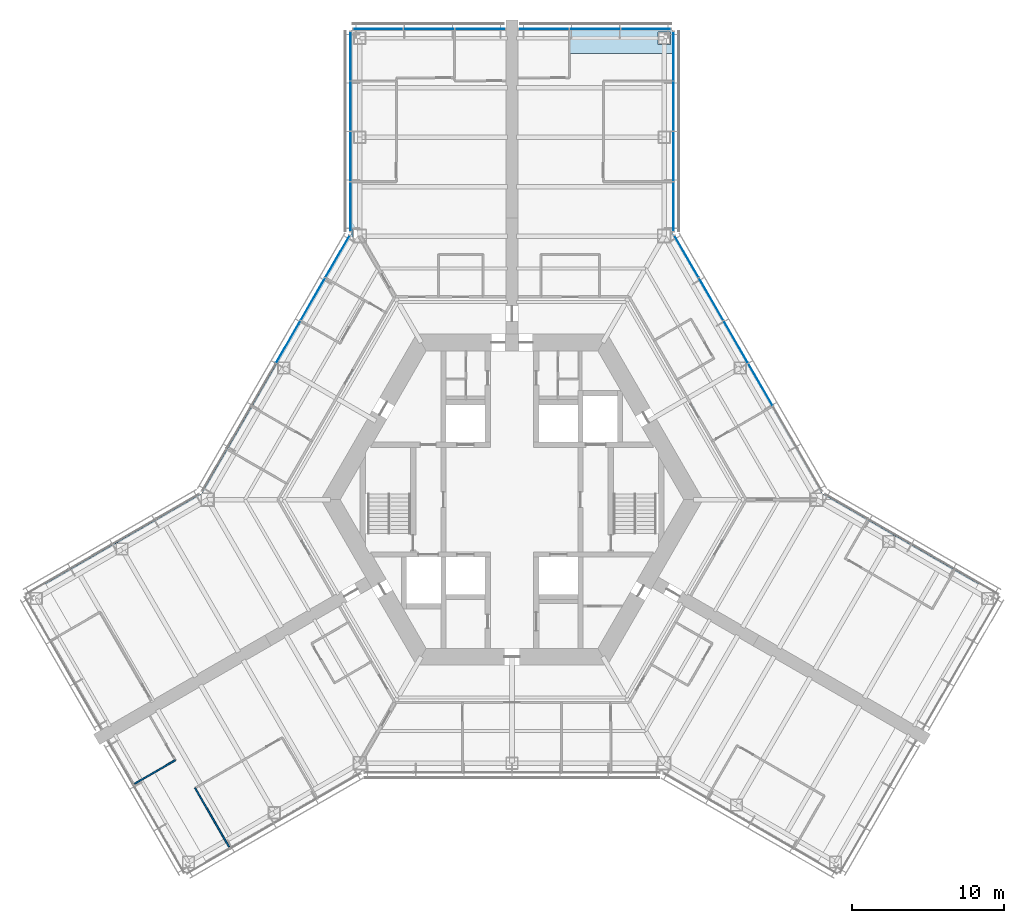
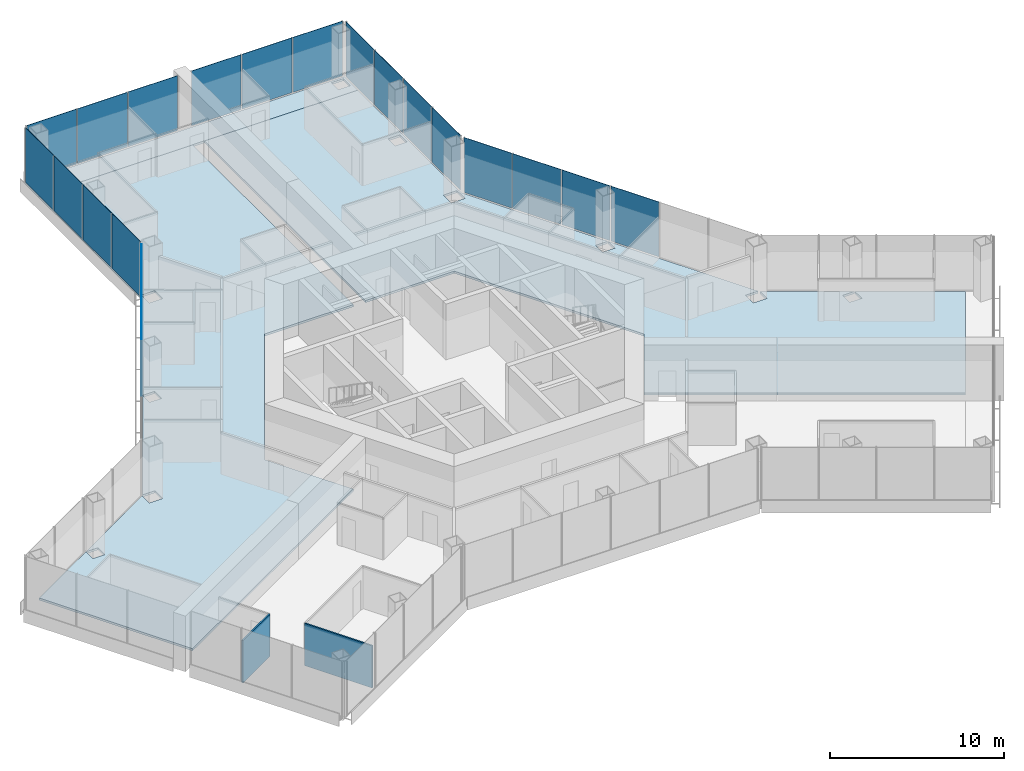
# One storey, part 11 of 19: 21 plates, 3 slabs, 2 walls, 6 elements without a shape of their own.
"""IFC4 building model written with IfcOpenShell, lengths in metres."""

from ifc_helpers import new_model, si_unit, direction, frame, frame_2d, origin, origin_2d, place, context, subcontext, project, spatial, polyline, rectangle, outline, extrude, material, layer, layer_set, type_object, element, aggregate, save


model = new_model("IFC4")

# Units and contexts
model_context = context("Model", 3, precision=1e-05, world=origin(), true_north=direction((0.0, 1.0)))
body_context = subcontext(model_context, "Body", "Model", "MODEL_VIEW")
ifc_project = project(units=[si_unit("LENGTHUNIT", "METRE"), si_unit("AREAUNIT", "SQUARE_METRE"), si_unit("VOLUMEUNIT", "CUBIC_METRE"), si_unit("PLANEANGLEUNIT", "RADIAN"), si_unit("MASSUNIT", "GRAM", prefix="KILO")], contexts=[model_context])

# Site, building, storey
site_placement = place(None, origin())
site = spatial("IfcSite", under=ifc_project, at=site_placement, CompositionType="ELEMENT")
building_placement = place(site_placement, origin())
building = spatial("IfcBuilding", under=site, at=building_placement, Name="Kasaneha Research Tower", CompositionType="ELEMENT")
storey_placement = place(building_placement, frame((0.0, 0.0, 92.39990234375)))
storey = spatial("IfcBuildingStorey", under=building, at=storey_placement, Name="L23", CompositionType="ELEMENT", Elevation=92.39990234375)

# Curtain wall, plates
ifc_material_1 = material(Name="Glass and aluminium", Category="aluminium")
curtain_wall_type = type_object("IfcCurtainWallType", Name="Low-rise office curtain wall", PredefinedType="USERDEFINED", material=ifc_material_1)
curtain_wall_1_placement = place(storey_placement, origin())
curtain_wall_1 = element("IfcCurtainWall", 1, at=curtain_wall_1_placement, inside=storey, type_object=curtain_wall_type, Name="CW-O1 L23 run 07a", ObjectType="UNITISED CURTAIN WALL", PredefinedType="USERDEFINED")
ifc_material_2 = material(Name="Laminated double glazing", Category="glass")
ifc_layer_1 = layer(ifc_material_2, 0.028076171875)
ifc_layer_set_1 = layer_set([ifc_layer_1], Name="CW-O1 glazed panel")
plate_type = type_object("IfcPlateType", Name="CW-O1 glazed panel", PredefinedType="CURTAIN_PANEL", material=ifc_layer_set_1)
plate_1_placement = place(storey_placement, frame((16.331298828125, 7.554443359375, 0.06005859375), z_axis=(0.0, 0.0, 1.0), x_axis=(-0.49999996188, 0.866025425793, 0.0)))
plate_1 = element("IfcPlate", 2, at=plate_1_placement, type_object=plate_type, Name="CW-O1 panel 3", PredefinedType="CURTAIN_PANEL", context=body_context, shape_type="SweptSolid", body=[
    extrude(rectangle(XDim=3.1865234375, YDim=0.028076171875, at=origin_2d()), origin(), (0.0, 0.0, 1.0), 3.840087890625),
])
plate_2_placement = place(storey_placement, frame((14.7080078125, 10.365966796875, 0.06005859375), z_axis=(0.0, 0.0, 1.0), x_axis=(-0.49999996188, 0.866025425793, 0.0)))
plate_2 = element("IfcPlate", 3, at=plate_2_placement, type_object=plate_type, Name="CW-O1 panel 4", PredefinedType="CURTAIN_PANEL", context=body_context, shape_type="SweptSolid", body=[
    extrude(rectangle(XDim=3.1865234375, YDim=0.028076171875, at=origin_2d()), origin(), (0.0, 0.0, 1.0), 3.840087890625),
])
plate_3_placement = place(storey_placement, frame((13.084716796875, 13.177490234375, 0.06005859375), z_axis=(0.0, 0.0, 1.0), x_axis=(-0.49999996188, 0.866025425793, 0.0)))
plate_3 = element("IfcPlate", 4, at=plate_3_placement, type_object=plate_type, Name="CW-O1 panel 5", PredefinedType="CURTAIN_PANEL", context=body_context, shape_type="SweptSolid", body=[
    extrude(rectangle(XDim=3.1865234375, YDim=0.028076171875, at=origin_2d()), origin(), (0.0, 0.0, 1.0), 3.840087890625),
])
plate_4_placement = place(storey_placement, frame((11.468994140625, 15.975830078125, 0.06005859375), z_axis=(0.0, 0.0, 1.0), x_axis=(-0.49999996188, 0.866025425793, 0.0)))
plate_4 = element("IfcPlate", 5, at=plate_4_placement, type_object=plate_type, Name="CW-O1 panel 6", PredefinedType="CURTAIN_PANEL", context=body_context, shape_type="SweptSolid", body=[
    extrude(rectangle(XDim=3.156494140625, YDim=0.028076171875, at=origin_2d()), origin(), (0.0, 0.0, 1.0), 3.840087890625),
])
aggregate(curtain_wall_1, [plate_1, plate_2, plate_3, plate_4])

curtain_wall_2_placement = place(storey_placement, origin())
curtain_wall_2 = element("IfcCurtainWall", 6, at=curtain_wall_2_placement, inside=storey, type_object=curtain_wall_type, Name="CW-O1 L23 run 08a", ObjectType="UNITISED CURTAIN WALL", PredefinedType="USERDEFINED")
plate_5_placement = place(storey_placement, frame((10.60009765625, 19.251220703125, 0.06005859375), z_axis=(0.0, 0.0, 1.0), x_axis=(0.0, 1.0, 0.0)))
plate_5 = element("IfcPlate", 7, at=plate_5_placement, type_object=plate_type, Name="CW-O1 panel 1", PredefinedType="CURTAIN_PANEL", context=body_context, shape_type="SweptSolid", body=[
    extrude(rectangle(XDim=3.2197265625, YDim=0.028076171875, at=origin_2d()), origin(), (0.0, 0.0, 1.0), 3.840087890625),
])
plate_6_placement = place(storey_placement, frame((10.60009765625, 22.5458984375, 0.06005859375), z_axis=(0.0, 0.0, 1.0), x_axis=(0.0, 1.0, 0.0)))
plate_6 = element("IfcPlate", 8, at=plate_6_placement, type_object=plate_type, Name="CW-O1 panel 2", PredefinedType="CURTAIN_PANEL", context=body_context, shape_type="SweptSolid", body=[
    extrude(rectangle(XDim=3.249755859375, YDim=0.028076171875, at=origin_2d()), origin(), (0.0, 0.0, 1.0), 3.840087890625),
])
plate_7_placement = place(storey_placement, frame((10.60009765625, 25.855712890625, 0.06005859375), z_axis=(0.0, 0.0, 1.0), x_axis=(0.0, 1.0, 0.0)))
plate_7 = element("IfcPlate", 9, at=plate_7_placement, type_object=plate_type, Name="CW-O1 panel 3", PredefinedType="CURTAIN_PANEL", context=body_context, shape_type="SweptSolid", body=[
    extrude(rectangle(XDim=3.249755859375, YDim=0.028076171875, at=origin_2d()), origin(), (0.0, 0.0, 1.0), 3.840087890625),
])
plate_8_placement = place(storey_placement, frame((10.60009765625, 29.150634765625, 0.06005859375), z_axis=(0.0, 0.0, 1.0), x_axis=(0.0, 1.0, 0.0)))
plate_8 = element("IfcPlate", 10, at=plate_8_placement, type_object=plate_type, Name="CW-O1 panel 4", PredefinedType="CURTAIN_PANEL", context=body_context, shape_type="SweptSolid", body=[
    extrude(rectangle(XDim=3.2197265625, YDim=0.028076171875, at=origin_2d()), origin(), (0.0, 0.0, 1.0), 3.840087890625),
])
aggregate(curtain_wall_2, [plate_5, plate_6, plate_7, plate_8])

curtain_wall_3_placement = place(storey_placement, origin())
curtain_wall_3 = element("IfcCurtainWall", 11, at=curtain_wall_3_placement, inside=storey, type_object=curtain_wall_type, Name="CW-O1 L23 run 09a", ObjectType="UNITISED CURTAIN WALL", PredefinedType="USERDEFINED")
plate_9_placement = place(storey_placement, frame((8.8017578125, 30.92041015625, 0.06005859375), z_axis=(0.0, 0.0, 1.0), x_axis=(-1.0, 0.0, 0.0)))
plate_9 = element("IfcPlate", 12, at=plate_9_placement, type_object=plate_type, Name="CW-O1 panel 1", PredefinedType="CURTAIN_PANEL", context=body_context, shape_type="SweptSolid", body=[
    extrude(rectangle(XDim=3.276611328125, YDim=0.028076171875, at=origin_2d()), origin(), (0.0, 0.0, 1.0), 3.840087890625),
])
plate_10_placement = place(storey_placement, frame((5.449951171875, 30.92041015625, 0.06005859375), z_axis=(0.0, 0.0, 1.0), x_axis=(-1.0, 0.0, 0.0)))
plate_10 = element("IfcPlate", 13, at=plate_10_placement, type_object=plate_type, Name="CW-O1 panel 2", PredefinedType="CURTAIN_PANEL", context=body_context, shape_type="SweptSolid", body=[
    extrude(rectangle(XDim=3.306640625, YDim=0.028076171875, at=origin_2d()), origin(), (0.0, 0.0, 1.0), 3.840087890625),
])
plate_11_placement = place(storey_placement, frame((2.098388671875, 30.92041015625, 0.06005859375), z_axis=(0.0, 0.0, 1.0), x_axis=(-1.0, 0.0, 0.0)))
plate_11 = element("IfcPlate", 14, at=plate_11_placement, type_object=plate_type, Name="CW-O1 panel 3", PredefinedType="CURTAIN_PANEL", context=body_context, shape_type="SweptSolid", body=[
    extrude(rectangle(XDim=3.276611328125, YDim=0.028076171875, at=origin_2d()), origin(), (0.0, 0.0, 1.0), 3.840087890625),
])
aggregate(curtain_wall_3, [plate_9, plate_10, plate_11])

curtain_wall_4_placement = place(storey_placement, origin())
curtain_wall_4 = element("IfcCurtainWall", 15, at=curtain_wall_4_placement, inside=storey, type_object=curtain_wall_type, Name="CW-O1 L23 run 10a", ObjectType="UNITISED CURTAIN WALL", PredefinedType="USERDEFINED")
plate_12_placement = place(storey_placement, frame((-2.098388671875, 30.92041015625, 0.06005859375), z_axis=(0.0, 0.0, 1.0), x_axis=(-1.0, 0.0, 0.0)))
plate_12 = element("IfcPlate", 16, at=plate_12_placement, type_object=plate_type, Name="CW-O1 panel 1", PredefinedType="CURTAIN_PANEL", context=body_context, shape_type="SweptSolid", body=[
    extrude(rectangle(XDim=3.276611328125, YDim=0.028076171875, at=origin_2d()), origin(), (0.0, 0.0, 1.0), 3.840087890625),
])
plate_13_placement = place(storey_placement, frame((-5.449951171875, 30.92041015625, 0.06005859375), z_axis=(0.0, 0.0, 1.0), x_axis=(-1.0, 0.0, 0.0)))
plate_13 = element("IfcPlate", 17, at=plate_13_placement, type_object=plate_type, Name="CW-O1 panel 2", PredefinedType="CURTAIN_PANEL", context=body_context, shape_type="SweptSolid", body=[
    extrude(rectangle(XDim=3.306640625, YDim=0.028076171875, at=origin_2d()), origin(), (0.0, 0.0, 1.0), 3.840087890625),
])
plate_14_placement = place(storey_placement, frame((-8.8017578125, 30.92041015625, 0.06005859375), z_axis=(0.0, 0.0, 1.0), x_axis=(-1.0, 0.0, 0.0)))
plate_14 = element("IfcPlate", 18, at=plate_14_placement, type_object=plate_type, Name="CW-O1 panel 3", PredefinedType="CURTAIN_PANEL", context=body_context, shape_type="SweptSolid", body=[
    extrude(rectangle(XDim=3.276611328125, YDim=0.028076171875, at=origin_2d()), origin(), (0.0, 0.0, 1.0), 3.840087890625),
])
aggregate(curtain_wall_4, [plate_12, plate_13, plate_14])

curtain_wall_5_placement = place(storey_placement, origin())
curtain_wall_5 = element("IfcCurtainWall", 19, at=curtain_wall_5_placement, inside=storey, type_object=curtain_wall_type, Name="CW-O1 L23 run 11a", ObjectType="UNITISED CURTAIN WALL", PredefinedType="USERDEFINED")
plate_15_placement = place(storey_placement, frame((-10.60009765625, 29.150634765625, 0.06005859375), z_axis=(0.0, 0.0, 1.0), x_axis=(0.0, -1.0, 0.0)))
plate_15 = element("IfcPlate", 20, at=plate_15_placement, type_object=plate_type, Name="CW-O1 panel 1", PredefinedType="CURTAIN_PANEL", context=body_context, shape_type="SweptSolid", body=[
    extrude(rectangle(XDim=3.2197265625, YDim=0.028076171875, at=origin_2d()), origin(), (0.0, 0.0, 1.0), 3.840087890625),
])
plate_16_placement = place(storey_placement, frame((-10.60009765625, 25.855712890625, 0.06005859375), z_axis=(0.0, 0.0, 1.0), x_axis=(0.0, -1.0, 0.0)))
plate_16 = element("IfcPlate", 21, at=plate_16_placement, type_object=plate_type, Name="CW-O1 panel 2", PredefinedType="CURTAIN_PANEL", context=body_context, shape_type="SweptSolid", body=[
    extrude(rectangle(XDim=3.249755859375, YDim=0.028076171875, at=origin_2d()), origin(), (0.0, 0.0, 1.0), 3.840087890625),
])
plate_17_placement = place(storey_placement, frame((-10.60009765625, 22.5458984375, 0.06005859375), z_axis=(0.0, 0.0, 1.0), x_axis=(0.0, -1.0, 0.0)))
plate_17 = element("IfcPlate", 22, at=plate_17_placement, type_object=plate_type, Name="CW-O1 panel 3", PredefinedType="CURTAIN_PANEL", context=body_context, shape_type="SweptSolid", body=[
    extrude(rectangle(XDim=3.249755859375, YDim=0.028076171875, at=origin_2d()), origin(), (0.0, 0.0, 1.0), 3.840087890625),
])
plate_18_placement = place(storey_placement, frame((-10.60009765625, 19.251220703125, 0.06005859375), z_axis=(0.0, 0.0, 1.0), x_axis=(0.0, -1.0, 0.0)))
plate_18 = element("IfcPlate", 23, at=plate_18_placement, type_object=plate_type, Name="CW-O1 panel 4", PredefinedType="CURTAIN_PANEL", context=body_context, shape_type="SweptSolid", body=[
    extrude(rectangle(XDim=3.2197265625, YDim=0.028076171875, at=origin_2d()), origin(), (0.0, 0.0, 1.0), 3.840087890625),
])
aggregate(curtain_wall_5, [plate_15, plate_16, plate_17, plate_18])

curtain_wall_6_placement = place(storey_placement, origin())
curtain_wall_6 = element("IfcCurtainWall", 24, at=curtain_wall_6_placement, inside=storey, type_object=curtain_wall_type, Name="CW-O1 L23 run 12a", ObjectType="UNITISED CURTAIN WALL", PredefinedType="USERDEFINED")
plate_19_placement = place(storey_placement, frame((-11.468994140625, 15.975830078125, 0.06005859375), z_axis=(0.0, 0.0, 1.0), x_axis=(-0.49999996188, -0.866025425793, 0.0)))
plate_19 = element("IfcPlate", 25, at=plate_19_placement, type_object=plate_type, Name="CW-O1 panel 1", PredefinedType="CURTAIN_PANEL", context=body_context, shape_type="SweptSolid", body=[
    extrude(rectangle(XDim=3.156494140625, YDim=0.028076171875, at=origin_2d()), origin(), (0.0, 0.0, 1.0), 3.840087890625),
])
plate_20_placement = place(storey_placement, frame((-13.084716796875, 13.177490234375, 0.06005859375), z_axis=(0.0, 0.0, 1.0), x_axis=(-0.49999996188, -0.866025425793, 0.0)))
plate_20 = element("IfcPlate", 26, at=plate_20_placement, type_object=plate_type, Name="CW-O1 panel 2", PredefinedType="CURTAIN_PANEL", context=body_context, shape_type="SweptSolid", body=[
    extrude(rectangle(XDim=3.1865234375, YDim=0.028076171875, at=origin_2d()), origin(), (0.0, 0.0, 1.0), 3.840087890625),
])
plate_21_placement = place(storey_placement, frame((-14.7080078125, 10.365966796875, 0.06005859375), z_axis=(0.0, 0.0, 1.0), x_axis=(-0.49999996188, -0.866025425793, 0.0)))
plate_21 = element("IfcPlate", 27, at=plate_21_placement, type_object=plate_type, Name="CW-O1 panel 3", PredefinedType="CURTAIN_PANEL", context=body_context, shape_type="SweptSolid", body=[
    extrude(rectangle(XDim=3.1865234375, YDim=0.028076171875, at=origin_2d()), origin(), (0.0, 0.0, 1.0), 3.840087890625),
])
aggregate(curtain_wall_6, [plate_19, plate_20, plate_21])

# Slabs
ifc_material_3 = material(Name="Concrete Fc24", Category="concrete")
ifc_layer_2 = layer(ifc_material_3, 0.14990234375)
ifc_layer_set_2 = layer_set([ifc_layer_2], Name="Floor slab 150")
slab_type = type_object("IfcSlabType", Name="Floor slab 150", PredefinedType="FLOOR", material=ifc_layer_set_2)
slab_1_placement = place(storey_placement, frame((0.0, 0.0, -0.14990234375)))
element("IfcSlab", 28, at=slab_1_placement, inside=storey, type_object=slab_type, Name="Floor slab L23 2", PredefinedType="FLOOR", context=body_context, shape_type="SweptSolid", body=[
    extrude(outline(polyline([(-20.375244140625, 0.449951171875), (-15.40771484375, 9.053955078125), (-15.400146484375, 9.046142578125), (-15.400146484375, 8.26025390625), (-14.599853515625, 8.26025390625), (-14.599853515625, 9.060302734375), (-15.385986328125, 9.060302734375), (-15.3974609375, 9.07177734375), (-10.550048828125, 17.4677734375), (-10.550048828125, 29.310546875), (-0.39990234375, 29.310546875), (-0.39990234375, 10.875), (-6.278564453125, 10.875), (-12.557373046875, 0.0), (-9.617919921875, -5.091064453125), (-25.583740234375, -14.308837890625), (-30.65869140625, -5.518798828125), (-26.040771484375, -2.8525390625), (-26.029296875, -2.864013671875), (-26.029296875, -3.650146484375), (-25.22900390625, -3.650146484375), (-25.22900390625, -2.849853515625), (-26.01513671875, -2.849853515625), (-26.02294921875, -2.84228515625), (-20.449951171875, 0.375244140625), (-20.449951171875, -0.449951171875), (-19.550048828125, -0.449951171875), (-19.550048828125, 0.449951171875), (-20.375244140625, 0.449951171875)]), holes=[polyline([(-9.550048828125, 17.7705078125), (-10.449951171875, 17.7705078125), (-10.449951171875, 16.87060546875), (-9.550048828125, 16.87060546875), (-9.550048828125, 17.7705078125)]), polyline([(-9.60009765625, 23.42041015625), (-9.60009765625, 24.220458984375), (-10.39990234375, 24.220458984375), (-10.39990234375, 23.42041015625), (-9.60009765625, 23.42041015625)])]), origin(), (0.0, 0.0, 1.0), 0.14990234375),
])
slab_2_placement = place(storey_placement, frame((0.0, 0.0, -0.14990234375)))
element("IfcSlab", 29, at=slab_2_placement, inside=storey, type_object=slab_type, Name="Floor slab L23 3", PredefinedType="FLOOR", context=body_context, shape_type="SweptSolid", body=[
    extrude(outline(polyline([(10.550048828125, 29.310546875), (0.39990234375, 29.310546875), (0.39990234375, 29.320556640625), (-0.39990234375, 29.320556640625), (-0.39990234375, 29.310546875), (-10.550048828125, 29.310546875), (-10.550048828125, 30.87060546875), (10.550048828125, 30.87060546875), (10.550048828125, 29.310546875)]), holes=[polyline([(-9.60009765625, 30.720458984375), (-10.39990234375, 30.720458984375), (-10.39990234375, 29.92041015625), (-9.60009765625, 29.92041015625), (-9.60009765625, 30.720458984375)]), polyline([(10.39990234375, 29.92041015625), (10.39990234375, 30.720458984375), (9.60009765625, 30.720458984375), (9.60009765625, 29.92041015625), (10.39990234375, 29.92041015625)])]), origin(), (0.0, 0.0, 1.0), 0.14990234375),
])
slab_3_placement = place(storey_placement, frame((0.0, 0.0, -0.14990234375)))
element("IfcSlab", 30, at=slab_3_placement, inside=storey, type_object=slab_type, Name="Floor slab L23 5", PredefinedType="FLOOR", context=body_context, shape_type="SweptSolid", body=[
    extrude(outline(polyline([(9.617919921875, -5.091064453125), (12.557373046875, 0.0), (6.278564453125, 10.875), (0.39990234375, 10.875), (0.39990234375, 29.310546875), (10.550048828125, 29.310546875), (10.550048828125, 17.4677734375), (15.3974609375, 9.07177734375), (15.385986328125, 9.060302734375), (14.599853515625, 9.060302734375), (14.599853515625, 8.26025390625), (15.400146484375, 8.26025390625), (15.400146484375, 9.046142578125), (15.40771484375, 9.053955078125), (20.375244140625, 0.449951171875), (19.550048828125, 0.449951171875), (19.550048828125, -0.449951171875), (20.449951171875, -0.449951171875), (20.449951171875, 0.375244140625), (25.15673828125, -2.34228515625), (25.149169921875, -2.349853515625), (24.363037109375, -2.349853515625), (24.363037109375, -3.150146484375), (25.163330078125, -3.150146484375), (25.163330078125, -2.364013671875), (25.1748046875, -2.3525390625), (30.65869140625, -5.518798828125), (25.583740234375, -14.308837890625), (9.617919921875, -5.091064453125)]), holes=[polyline([(10.449951171875, 16.87060546875), (10.449951171875, 17.7705078125), (9.550048828125, 17.7705078125), (9.550048828125, 16.87060546875), (10.449951171875, 16.87060546875)]), polyline([(10.39990234375, 23.42041015625), (10.39990234375, 24.220458984375), (9.60009765625, 24.220458984375), (9.60009765625, 23.42041015625), (10.39990234375, 23.42041015625)])]), origin(), (0.0, 0.0, 1.0), 0.14990234375),
])

# Walls
ifc_material_4 = material(Name="Gypsum board on steel studs, one layer each side", Category="steel")
ifc_layer_3 = layer(ifc_material_4, 0.10009765625)
ifc_layer_set_3 = layer_set([ifc_layer_3], Name="Office partition 100")
wall_type = type_object("IfcWallType", Name="Office partition 100", PredefinedType="PARTITIONING", material=ifc_layer_set_3)
wall_1_placement = place(storey_placement, frame((-18.5849609375, -22.831298828125, 0.0), z_axis=(0.0, 0.0, 1.0), x_axis=(-0.499989762656, 0.866031314237, 0.0)))
element("IfcWall", 31, at=wall_1_placement, inside=storey, type_object=wall_type, Name="Office partition FBS05 L23", PredefinedType="PARTITIONING", context=body_context, shape_type="SweptSolid", body=[
    extrude(rectangle(XDim=4.47998046875, YDim=0.10009765625, at=frame_2d((2.239990234375, 0.0))), origin(), (0.0, 0.0, 1.0), 2.9501953125),
])
wall_2_placement = place(storey_placement, frame((-22.123291015625, -17.122314453125, 0.0), z_axis=(0.0, 0.0, 1.0), x_axis=(-0.86602952684, -0.49999285859, 0.0)))
element("IfcWall", 32, at=wall_2_placement, inside=storey, type_object=wall_type, Name="Office partition FBS11 L23", PredefinedType="PARTITIONING", context=body_context, shape_type="SweptSolid", body=[
    extrude(rectangle(XDim=3.10009765625, YDim=0.10009765625, at=frame_2d((1.550048828125, 0.0))), origin(), (0.0, 0.0, 1.0), 2.9501953125),
])

save(model, "model.ifc")
